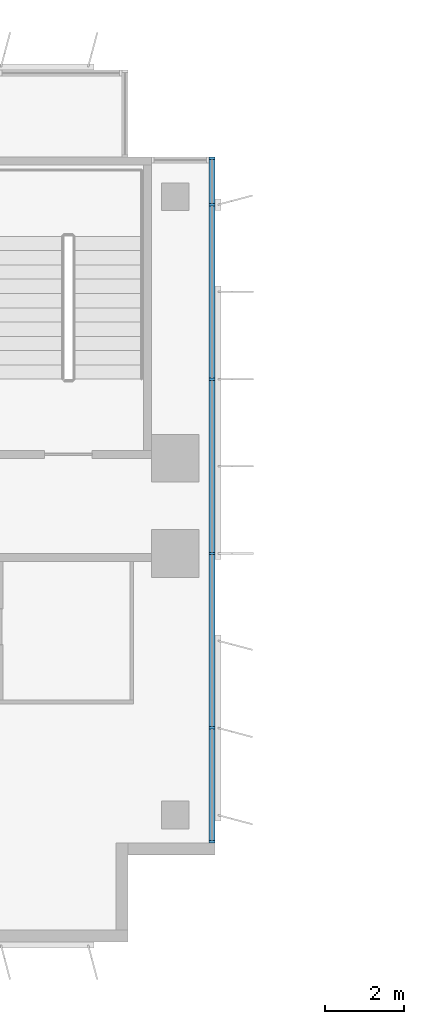
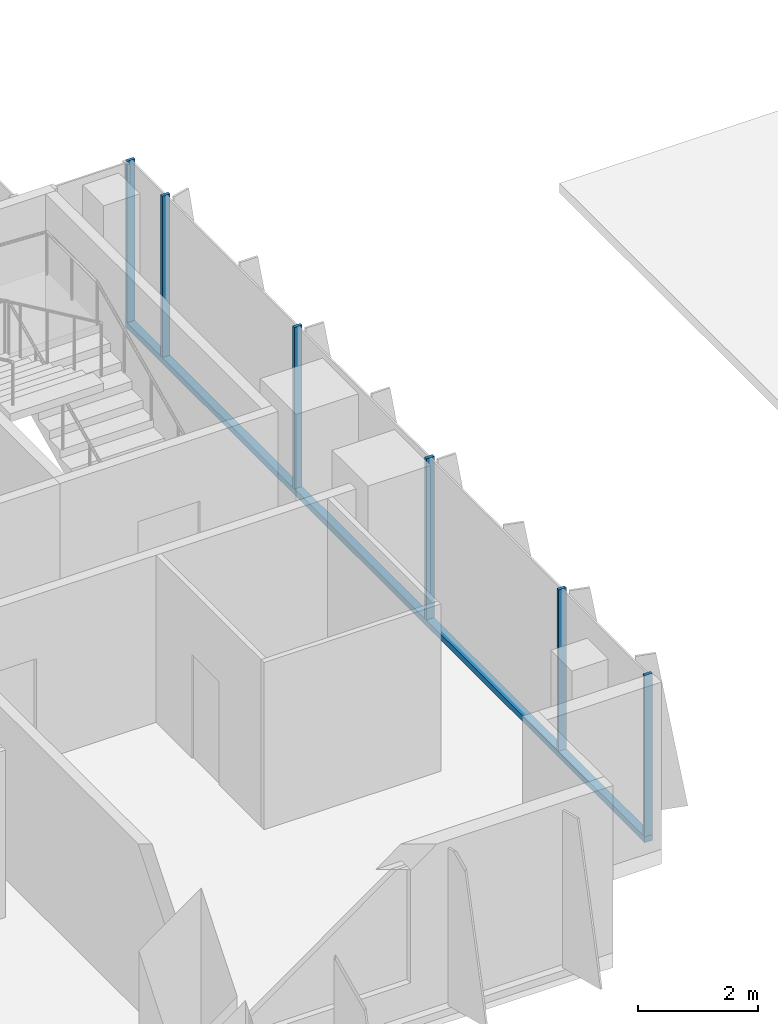
# One storey, part 8 of 22: 7 members, 1 element without a shape of its own.
"""IFC4 building model written with IfcOpenShell, lengths in metres."""

from ifc_helpers import new_model, si_unit, direction, frame, origin, origin_2d, place, context, subcontext, project, spatial, rectangle, extrude, source, transform, mapped, material, material_profile, profile_set, type_object, element, aggregate, save


model = new_model("IFC4")

# Units and contexts
model_context = context("Model", 3, precision=1e-05, world=origin(), true_north=direction((0.0, 1.0)))
body_context = subcontext(model_context, "Body", "Model", "MODEL_VIEW")
ifc_project = project(units=[si_unit("LENGTHUNIT", "METRE"), si_unit("AREAUNIT", "SQUARE_METRE"), si_unit("VOLUMEUNIT", "CUBIC_METRE"), si_unit("PLANEANGLEUNIT", "RADIAN"), si_unit("MASSUNIT", "GRAM", prefix="KILO")], contexts=[model_context])

# Site, building, storey
site_placement = place(None, origin())
site = spatial("IfcSite", under=ifc_project, at=site_placement, CompositionType="ELEMENT")
building_placement = place(site_placement, origin())
building = spatial("IfcBuilding", under=site, at=building_placement, Name="Kemantara Hotel Tower", CompositionType="ELEMENT")
storey_placement = place(building_placement, frame((0.0, 0.0, 87.10009765625)))
storey = spatial("IfcBuildingStorey", under=building, at=storey_placement, Name="L20", CompositionType="ELEMENT", Elevation=87.10009765625)

# Curtain wall, members
ifc_material_1 = material(Name="Low-E tinted double insulated glass 36 mm", Category="glass")
curtain_wall_type = type_object("IfcCurtainWallType", Name="TOWER CURTAIN WALL, FRONT FACES", PredefinedType="USERDEFINED", material=ifc_material_1)
curtain_wall_placement = place(storey_placement, origin())
curtain_wall = element("IfcCurtainWall", 1, at=curtain_wall_placement, inside=storey, type_object=curtain_wall_type, Name="CW4 L20 T2-R10-1", ObjectType="TOWER CURTAIN WALL, FRONT FACES", PredefinedType="USERDEFINED")
ifc_material_2 = material(Name="Aluminium 6063-T6 bronze anodised", Category="aluminium")
ifc_material_profile_1 = material_profile(ifc_material_2, rectangle(XDim=0.14990234375, YDim=0.1201171875, at=origin_2d()), Name="TOWER CURTAIN WALL, FRONT FACES TRANSOM")
ifc_profile_set_1 = profile_set([ifc_material_profile_1], Name="Aluminium 6063-T6 bronze anodised")
member_type_1 = type_object("IfcMemberType", Name="TOWER CURTAIN WALL, FRONT FACES TRANSOM", PredefinedType="USERDEFINED", material=ifc_profile_set_1)
member_1_placement = place(storey_placement, frame((63.52490234375, 2.5, 0.059814453125), z_axis=(0.0, 1.0, 0.0), x_axis=(-1.0, 0.0, 0.0)))
member_1 = element("IfcMember", 2, at=member_1_placement, type_object=member_type_1, Name="CW4 sill transom T2-R10-1", ObjectType="TRANSOM", PredefinedType="USERDEFINED", context=body_context, shape_type="SweptSolid", body=[
    extrude(rectangle(XDim=0.14990234375, YDim=0.1201171875, at=origin_2d()), origin(), (0.0, 0.0, 1.0), 17.300048828125),
])
ifc_material_profile_2 = material_profile(ifc_material_2, rectangle(XDim=0.14990234375, YDim=0.06005859375, at=origin_2d()), Name="TOWER CURTAIN WALL, FRONT FACES MULLION")
ifc_profile_set_2 = profile_set([ifc_material_profile_2], Name="Aluminium 6063-T6 bronze anodised")
member_type_2 = type_object("IfcMemberType", Name="TOWER CURTAIN WALL, FRONT FACES MULLION", PredefinedType="MULLION", material=ifc_profile_set_2)
shared_shape = source(origin(), body_context, "Body", "SweptSolid", [
    extrude(rectangle(XDim=0.14990234375, YDim=0.06005859375, at=origin_2d()), origin(), (0.0, 0.0, 1.0), 3.280029296875),
])
member_2_placement = place(storey_placement, frame((63.52490234375, 2.530029296875, 0.119873046875), z_axis=(0.0, 0.0, 1.0), x_axis=(-1.0, 0.0, 0.0)))
member_2 = element("IfcMember", 3, at=member_2_placement, type_object=member_type_2, Name="CW4 mullion T2-R10-1.1", PredefinedType="MULLION", context=body_context, shape_type="MappedRepresentation", body=[
    mapped(shared_shape, transform((0.0, 0.0, 0.0))),
])
member_3_placement = place(storey_placement, frame((63.52490234375, 5.39990234375, 0.119873046875), z_axis=(0.0, 0.0, 1.0), x_axis=(-1.0, 0.0, 0.0)))
member_3 = element("IfcMember", 4, at=member_3_placement, type_object=member_type_2, Name="CW4 mullion T2-R10-1.2", PredefinedType="MULLION", context=body_context, shape_type="MappedRepresentation", body=[
    mapped(shared_shape, transform((0.0, 0.0, 0.0))),
])
member_4_placement = place(storey_placement, frame((63.52490234375, 9.800048828125, 0.119873046875), z_axis=(0.0, 0.0, 1.0), x_axis=(-1.0, 0.0, 0.0)))
member_4 = element("IfcMember", 5, at=member_4_placement, type_object=member_type_2, Name="CW4 mullion T2-R10-1.3", PredefinedType="MULLION", context=body_context, shape_type="MappedRepresentation", body=[
    mapped(shared_shape, transform((0.0, 0.0, 0.0))),
])
member_5_placement = place(storey_placement, frame((63.52490234375, 14.199951171875, 0.119873046875), z_axis=(0.0, 0.0, 1.0), x_axis=(-1.0, 0.0, 0.0)))
member_5 = element("IfcMember", 6, at=member_5_placement, type_object=member_type_2, Name="CW4 mullion T2-R10-1.4", PredefinedType="MULLION", context=body_context, shape_type="MappedRepresentation", body=[
    mapped(shared_shape, transform((0.0, 0.0, 0.0))),
])
member_6_placement = place(storey_placement, frame((63.52490234375, 18.60009765625, 0.119873046875), z_axis=(0.0, 0.0, 1.0), x_axis=(-1.0, 0.0, 0.0)))
member_6 = element("IfcMember", 7, at=member_6_placement, type_object=member_type_2, Name="CW4 mullion T2-R10-1.5", PredefinedType="MULLION", context=body_context, shape_type="MappedRepresentation", body=[
    mapped(shared_shape, transform((0.0, 0.0, 0.0))),
])
member_7_placement = place(storey_placement, frame((63.52490234375, 19.77001953125, 0.119873046875), z_axis=(0.0, 0.0, 1.0), x_axis=(-1.0, 0.0, 0.0)))
member_7 = element("IfcMember", 8, at=member_7_placement, type_object=member_type_2, Name="CW4 mullion T2-R10-1.6", PredefinedType="MULLION", context=body_context, shape_type="MappedRepresentation", body=[
    mapped(shared_shape, transform((0.0, 0.0, 0.0))),
])
aggregate(curtain_wall, [member_1, member_2, member_3, member_4, member_5, member_6, member_7])

save(model, "model.ifc")
